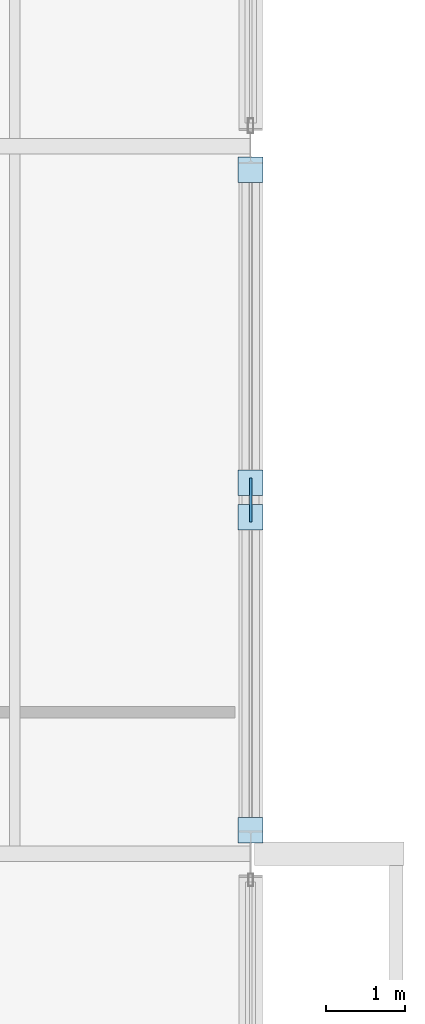
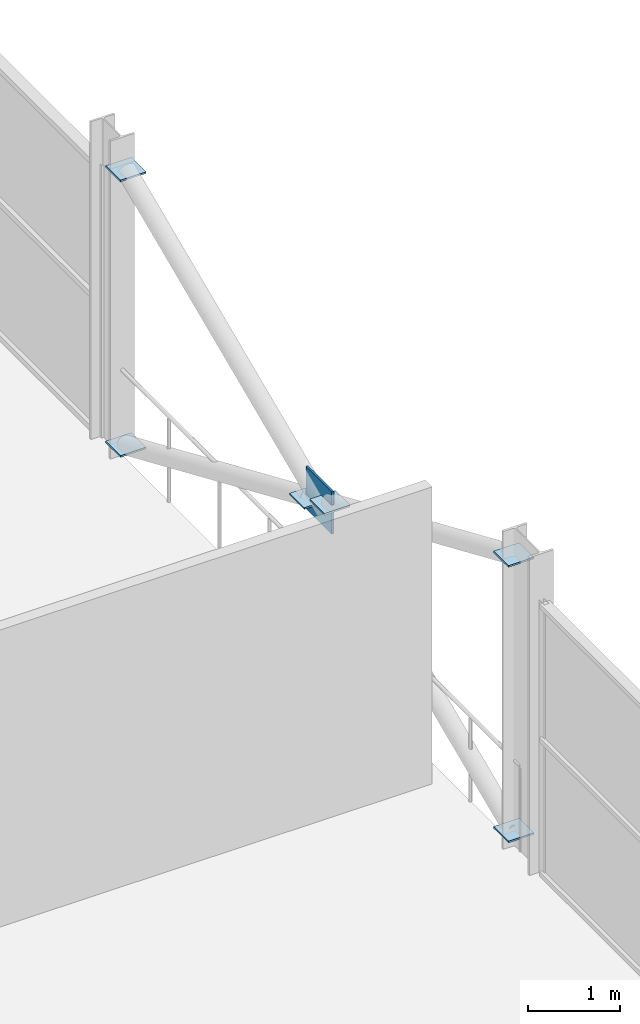
# One storey, part 83 of 103: 7 plates.
"""IFC4 building model written with IfcOpenShell, lengths in metres."""

from ifc_helpers import new_model, si_unit, direction, frame, origin, origin_2d, place, context, subcontext, project, spatial, rectangle, extrude, material, layer, layer_set, type_object, element, save


model = new_model("IFC4")

# Units and contexts
model_context = context("Model", 3, precision=1e-05, world=origin(), true_north=direction((0.0, 1.0)))
body_context = subcontext(model_context, "Body", "Model", "MODEL_VIEW")
ifc_project = project(units=[si_unit("LENGTHUNIT", "METRE"), si_unit("AREAUNIT", "SQUARE_METRE"), si_unit("VOLUMEUNIT", "CUBIC_METRE"), si_unit("PLANEANGLEUNIT", "RADIAN"), si_unit("MASSUNIT", "GRAM", prefix="KILO")], contexts=[model_context])

# Site, building, storey
site_placement = place(None, origin())
site = spatial("IfcSite", under=ifc_project, at=site_placement, CompositionType="ELEMENT")
building_placement = place(site_placement, origin())
building = spatial("IfcBuilding", under=site, at=building_placement, Name="Deido Ridge Mobility Hub", CompositionType="ELEMENT")
storey_placement = place(building_placement, frame((0.0, 0.0, 12.60009765625)))
storey = spatial("IfcBuildingStorey", under=building, at=storey_placement, Name="L03", CompositionType="ELEMENT", Elevation=12.60009765625)

# Plates
ifc_material = material(Name="Steel S355J2 EN 10025-2", Category="steel")
ifc_layer_1 = layer(ifc_material, 0.02197265625, Name="Steel S355J2 EN 10025-2")
ifc_layer_set_1 = layer_set([ifc_layer_1], Name="Steel S355J2 EN 10025-2")
plate_type_1 = type_object("IfcPlateType", Name="PLT-CAP-22", PredefinedType="USERDEFINED", material=ifc_layer_set_1)
for number, where, z_axis, x_axis, name in (
    (1, (180.0, 54.300048828125, 0.1689453125), (0.0, 0.0, 1.0), (1.0, 0.0, 0.0), "Brace sealed end-cap plate EC2 22"),
    (2, (180.0, 62.699951171875, 3.808837890625), (0.0, 0.0, 1.0), (1.0, 0.0, 0.0), "Brace sealed end-cap plate EC2 23"),
    (3, (180.0, 62.699951171875, 0.1689453125), (0.0, 0.0, 1.0), (1.0, 0.0, 0.0), "Brace sealed end-cap plate EC2 24"),
    (4, (180.0, 54.300048828125, 3.808837890625), (0.0, 0.0, 1.0), (1.0, 0.0, 0.0), "Brace sealed end-cap plate EC2 25"),
    (5, (180.0, 58.72021484375, 1.8935546875), (0.0, 0.0, 1.0), (1.0, 0.0, 0.0), "Brace sealed end-cap plate EC2 26"),
    (6, (180.0, 58.27978515625, 2.084228515625), (0.0, 0.0, 1.0), (1.0, 0.0, 0.0), "Brace sealed end-cap plate EC2 27"),
):
    element("IfcPlate", number, at=place(storey_placement, frame(where, z_axis=z_axis, x_axis=x_axis)), inside=storey, type_object=plate_type_1, Name=name, ObjectType="END CAP PLATE", PredefinedType="USERDEFINED", context=body_context, shape_type="SweptSolid", body=[
        extrude(rectangle(XDim=0.320068359375, YDim=0.320068359375, at=origin_2d()), origin(), (0.0, 0.0, 1.0), 0.02197265625),
    ])
ifc_layer_2 = layer(ifc_material, 0.028076171875, Name="Steel S355J2 EN 10025-2")
ifc_layer_set_2 = layer_set([ifc_layer_2], Name="Steel S355J2 EN 10025-2")
plate_type_2 = type_object("IfcPlateType", Name="PLT-GUS-28", PredefinedType="USERDEFINED", material=ifc_layer_set_2)
plate_placement = place(storey_placement, frame((180.0, 58.5, 1.719970703125), z_axis=(0.0, 0.0, 1.0), x_axis=(0.0, 1.0, 0.0)))
element("IfcPlate", 7, at=plate_placement, inside=storey, type_object=plate_type_2, Name="X-brace central crossing gusset plate GP3 28", ObjectType="GUSSET PLATE", PredefinedType="USERDEFINED", context=body_context, shape_type="SweptSolid", body=[
    extrude(rectangle(XDim=0.56005859375, YDim=0.028076171875, at=origin_2d()), origin(), (0.0, 0.0, 1.0), 0.56005859375),
])

save(model, "model.ifc")
